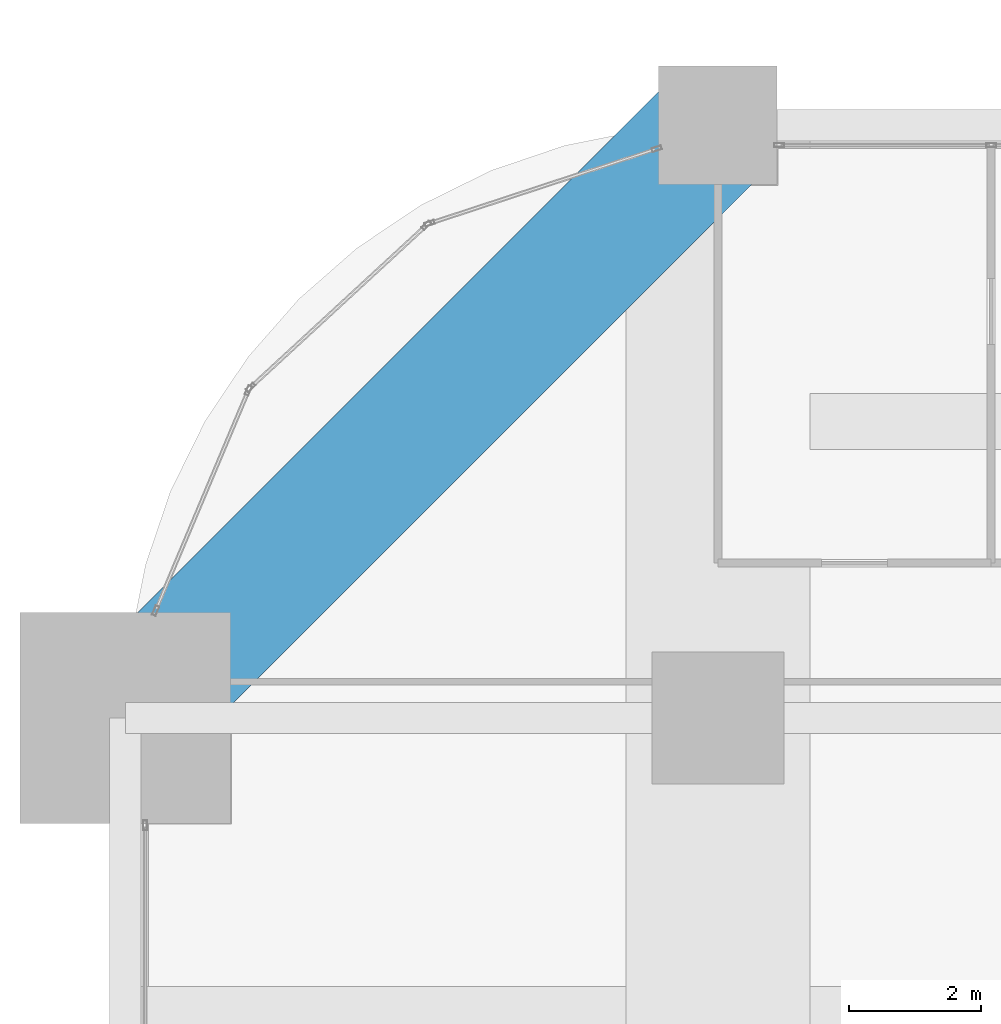
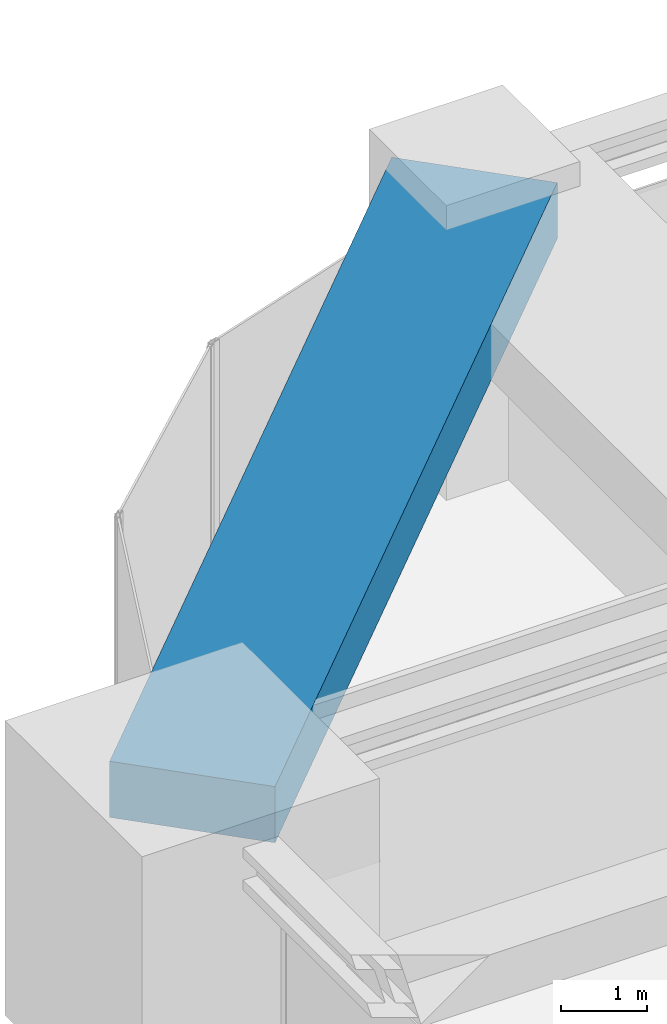
# One storey, part 30 of 45: 1 beam.
"""IFC4 building model written with IfcOpenShell, lengths in metres."""

from ifc_helpers import new_model, si_unit, direction, frame, origin, origin_2d, place, context, subcontext, project, spatial, rectangle, extrude, material, material_profile, profile_set, type_object, element, save


model = new_model("IFC4")

# Units and contexts
model_context = context("Model", 3, precision=1e-05, world=origin(), true_north=direction((0.0, 1.0)))
body_context = subcontext(model_context, "Body", "Model", "MODEL_VIEW")
ifc_project = project(units=[si_unit("LENGTHUNIT", "METRE"), si_unit("AREAUNIT", "SQUARE_METRE"), si_unit("VOLUMEUNIT", "CUBIC_METRE"), si_unit("PLANEANGLEUNIT", "RADIAN"), si_unit("MASSUNIT", "GRAM", prefix="KILO")], contexts=[model_context])

# Site, building, storey
site_placement = place(None, origin())
site = spatial("IfcSite", under=ifc_project, at=site_placement, CompositionType="ELEMENT")
building_placement = place(site_placement, origin())
building = spatial("IfcBuilding", under=site, at=building_placement, Name="Zorevar Civic Tower", CompositionType="ELEMENT")
storey_placement = place(building_placement, frame((0.0, 0.0, 153.0)))
storey = spatial("IfcBuildingStorey", under=building, at=storey_placement, Name="L37", CompositionType="ELEMENT", Elevation=153.0)

# Beam
ifc_material = material(Name="Concrete C50/60", Category="concrete")
ifc_material_profile = material_profile(ifc_material, rectangle(XDim=2.0, YDim=0.800048828125, at=origin_2d()), Name="RC 2000x800")
ifc_profile_set = profile_set([ifc_material_profile], Name="Concrete C50/60")
beam_type = type_object("IfcBeamType", Name="Edge beam RC 2000x800", PredefinedType="SPANDREL", material=ifc_profile_set)
beam_placement = place(storey_placement, frame((9.0, 45.0, 3.449951171875), z_axis=(-0.707106781187, -0.707106781187, 0.0), x_axis=(0.707106781187, -0.707106781187, 0.0)))
element("IfcBeam", 1, at=beam_placement, inside=storey, type_object=beam_type, Name="Corner edge beam L38", PredefinedType="SPANDREL", context=body_context, shape_type="SweptSolid", body=[
    extrude(rectangle(XDim=2.0, YDim=0.800048828125, at=origin_2d()), origin(), (0.0, 0.0, 1.0), 12.72802734375),
])

save(model, "model.ifc")
